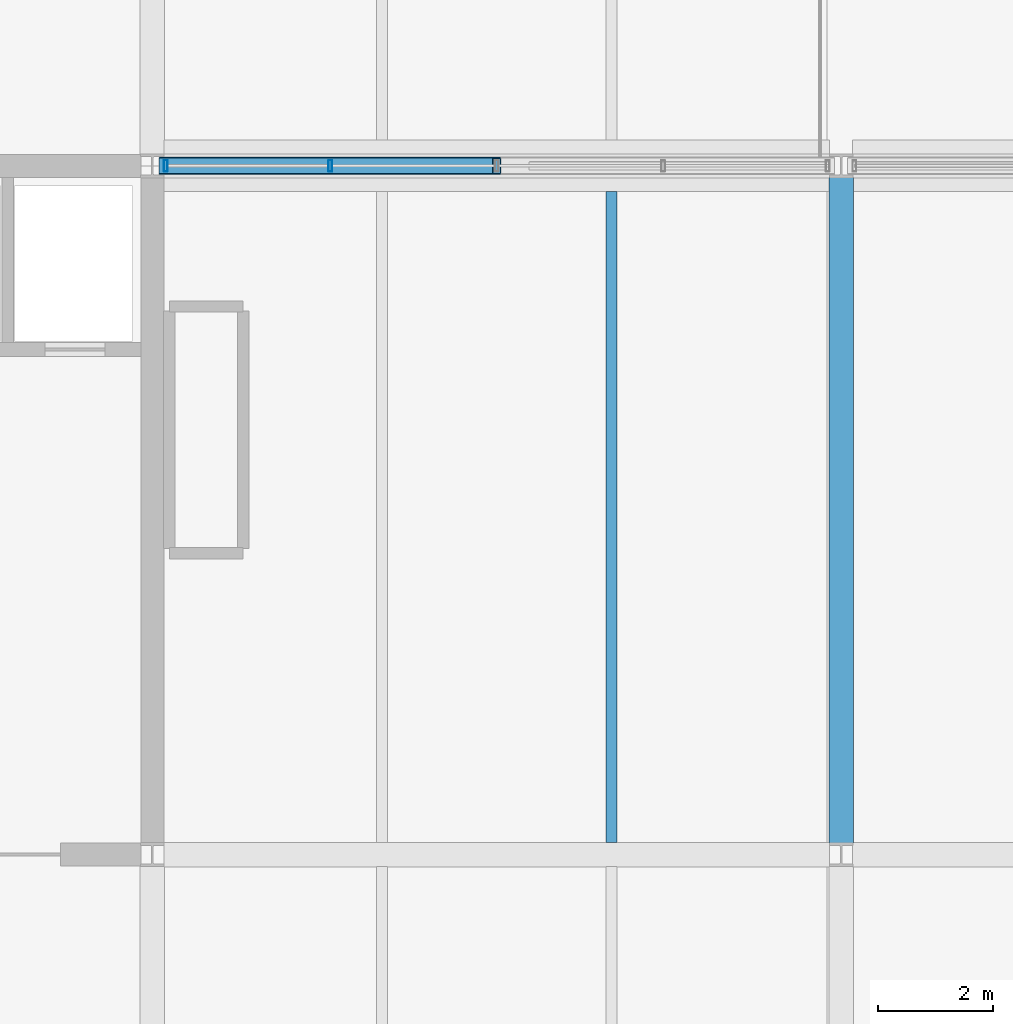
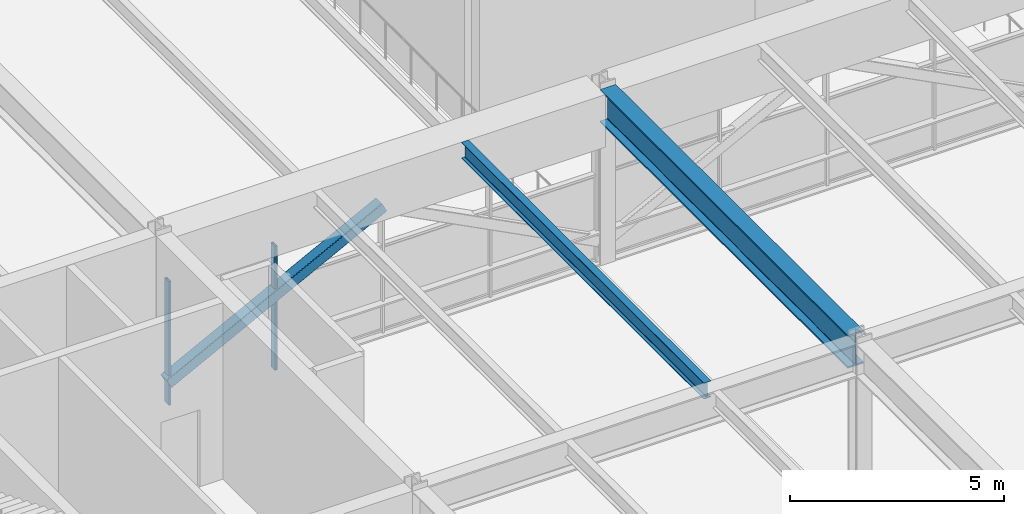
# One storey, part 15 of 42: 3 members, 2 beams, 1 element without a shape of its own.
"""IFC4 building model written with IfcOpenShell, lengths in metres."""

from ifc_helpers import new_model, si_unit, direction, frame, origin, origin_2d, place, context, subcontext, project, spatial, hollow_rectangle, i_section, extrude, material, material_profile, profile_set, type_object, element, aggregate, save


model = new_model("IFC4")

# Units and contexts
model_context = context("Model", 3, precision=1e-05, world=origin(), true_north=direction((0.0, 1.0)))
body_context = subcontext(model_context, "Body", "Model", "MODEL_VIEW")
ifc_project = project(units=[si_unit("LENGTHUNIT", "METRE"), si_unit("AREAUNIT", "SQUARE_METRE"), si_unit("VOLUMEUNIT", "CUBIC_METRE"), si_unit("PLANEANGLEUNIT", "RADIAN"), si_unit("MASSUNIT", "GRAM", prefix="KILO")], contexts=[model_context])

# Site, building, storey
site_placement = place(None, origin())
site = spatial("IfcSite", under=ifc_project, at=site_placement, CompositionType="ELEMENT")
building_placement = place(site_placement, origin())
building = spatial("IfcBuilding", under=site, at=building_placement, Name="Girod Span Mobility Hub", CompositionType="ELEMENT")
storey_placement = place(building_placement, frame((0.0, 0.0, 32.39990234375)))
storey = spatial("IfcBuildingStorey", under=building, at=storey_placement, Name="L08", CompositionType="ELEMENT", Elevation=32.39990234375)

# Beams
ifc_material_1 = material(Name="Steel A992 Grade 50", Category="steel")
ifc_material_profile_1 = material_profile(ifc_material_1, i_section(OverallWidth=0.19189453125, OverallDepth=0.462890625, WebThickness=0.010498046875, FlangeThickness=0.017578125, FilletRadius=0.013916015625, at=origin_2d()), Name="W18X60")
ifc_profile_set_1 = profile_set([ifc_material_profile_1], Name="Steel A992 Grade 50")
beam_type_1 = type_object("IfcBeamType", Name="BM-STL-W18X60", PredefinedType="BEAM", material=ifc_profile_set_1)
beam_1_placement = place(storey_placement, frame((68.0, 57.20849609375, 4.80859375), z_axis=(0.0, 1.0, 0.0), x_axis=(-1.0, 0.0, 0.0)))
element("IfcBeam", 1, at=beam_1_placement, inside=storey, type_object=beam_type_1, Name="Composite Floorbeam 6/E-2 L08", PredefinedType="BEAM", context=body_context, shape_type="SweptSolid", body=[
    extrude(i_section(OverallWidth=0.19189453125, OverallDepth=0.462890625, WebThickness=0.010498046875, FlangeThickness=0.017578125, FilletRadius=0.013916015625, at=origin_2d()), origin(), (0.0, 0.0, 1.0), 11.344482421875),
])
ifc_material_2 = material(Name="Steel A992 Grade 50", Category="steel")
ifc_material_profile_2 = material_profile(ifc_material_2, i_section(OverallWidth=0.423095703125, OverallDepth=0.93994140625, WebThickness=0.02392578125, FlangeThickness=0.042724609375, FilletRadius=0.02392578125, at=origin_2d()), Name="W36X302")
ifc_profile_set_2 = profile_set([ifc_material_profile_2], Name="Steel A992 Grade 50")
beam_type_2 = type_object("IfcBeamType", Name="BM-STL-W36X302", PredefinedType="BEAM", material=ifc_profile_set_2)
beam_2_placement = place(storey_placement, frame((72.0, 57.205078125, 4.570068359375), z_axis=(0.0, 1.0, 0.0), x_axis=(-1.0, 0.0, 0.0)))
element("IfcBeam", 2, at=beam_2_placement, inside=storey, type_object=beam_type_2, Name="Tie Girder 7/E-F L08", PredefinedType="BEAM", context=body_context, shape_type="SweptSolid", body=[
    extrude(i_section(OverallWidth=0.423095703125, OverallDepth=0.93994140625, WebThickness=0.02392578125, FlangeThickness=0.042724609375, FilletRadius=0.02392578125, at=origin_2d()), origin(), (0.0, 0.0, 1.0), 11.58984375),
])

# Curtain wall, members
ifc_material_3 = material(Name="Thermally Broken Anodised Aluminium", Category="aluminium")
curtain_wall_type = type_object("IfcCurtainWallType", Name="CW-1160X354", PredefinedType="USERDEFINED", material=ifc_material_3)
curtain_wall_placement = place(storey_placement, origin())
curtain_wall = element("IfcCurtainWall", 3, at=curtain_wall_placement, inside=storey, type_object=curtain_wall_type, Name="Unitised Curtain Wall CW-L08-N06 L08", ObjectType="UNITISED CURTAIN WALL", PredefinedType="USERDEFINED")
ifc_material_4 = material(Name="Thermally Broken Anodised Aluminium", Category="aluminium")
ifc_material_profile_3 = material_profile(ifc_material_4, hollow_rectangle(XDim=0.199951171875, YDim=0.06494140625, WallThickness=0.00390625, InnerFilletRadius=0.00390625, OuterFilletRadius=0.008056640625, at=origin_2d()), Name="CW-ML-65X200")
ifc_profile_set_3 = profile_set([ifc_material_profile_3], Name="Thermally Broken Anodised Aluminium")
member_type_1 = type_object("IfcMemberType", Name="CWM-ML-1", PredefinedType="MULLION", material=ifc_profile_set_3)
member_1_placement = place(storey_placement, frame((60.23291015625, 69.0, 0.0), z_axis=(0.0, 0.0, 1.0), x_axis=(0.0, 1.0, 0.0)))
member_1 = element("IfcMember", 4, at=member_1_placement, type_object=member_type_1, Name="Curtain Wall Mullion CW-L08-N06-M0", PredefinedType="MULLION", context=body_context, shape_type="SweptSolid", body=[
    extrude(hollow_rectangle(XDim=0.199951171875, YDim=0.06494140625, WallThickness=0.00390625, InnerFilletRadius=0.00390625, OuterFilletRadius=0.008056640625, at=origin_2d()), origin(), (0.0, 0.0, 1.0), 3.5400390625),
])
member_2_placement = place(storey_placement, frame((63.1005859375, 69.0, 0.0), z_axis=(0.0, 0.0, 1.0), x_axis=(0.0, 1.0, 0.0)))
member_2 = element("IfcMember", 5, at=member_2_placement, type_object=member_type_1, Name="Curtain Wall Mullion CW-L08-N06-M1", PredefinedType="MULLION", context=body_context, shape_type="SweptSolid", body=[
    extrude(hollow_rectangle(XDim=0.199951171875, YDim=0.06494140625, WallThickness=0.00390625, InnerFilletRadius=0.00390625, OuterFilletRadius=0.008056640625, at=origin_2d()), origin(), (0.0, 0.0, 1.0), 3.5400390625),
])
aggregate(curtain_wall, [member_1, member_2])

# Member
ifc_material_5 = material(Name="Steel HSS A500 Grade C", Category="steel")
ifc_material_profile_4 = material_profile(ifc_material_5, hollow_rectangle(XDim=0.304931640625, YDim=0.304931640625, WallThickness=0.014892578125, InnerFilletRadius=0.014892578125, OuterFilletRadius=0.029541015625, at=origin_2d()), Name="HSS305X305X16")
ifc_profile_set_4 = profile_set([ifc_material_profile_4], Name="Steel HSS A500 Grade C")
member_type_2 = type_object("IfcMemberType", Name="MB-BR-HSS305", PredefinedType="BRACE", material=ifc_profile_set_4)
member_3_placement = place(storey_placement, frame((60.18310546875, 69.0, 0.650146484375), z_axis=(0.888138427159, 0.0, 0.459576037457), x_axis=(0.0, 1.0, 0.0)))
element("IfcMember", 6, at=member_3_placement, inside=storey, type_object=member_type_2, Name="Warren Transfer Truss Web Diagonal Y=69 6-L", PredefinedType="BRACE", context=body_context, shape_type="SweptSolid", body=[
    extrude(hollow_rectangle(XDim=0.304931640625, YDim=0.304931640625, WallThickness=0.014892578125, InnerFilletRadius=0.014892578125, OuterFilletRadius=0.029541015625, at=origin_2d()), origin(), (0.0, 0.0, 1.0), 6.549560546875),
])

save(model, "model.ifc")
